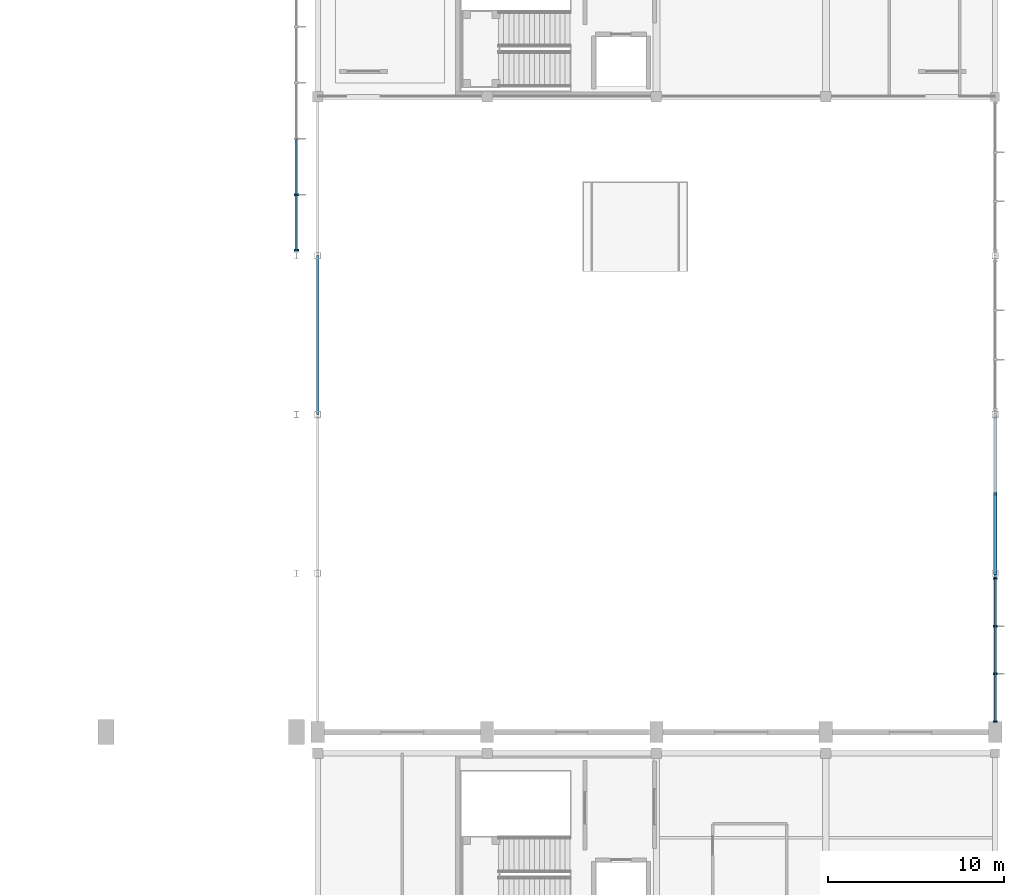
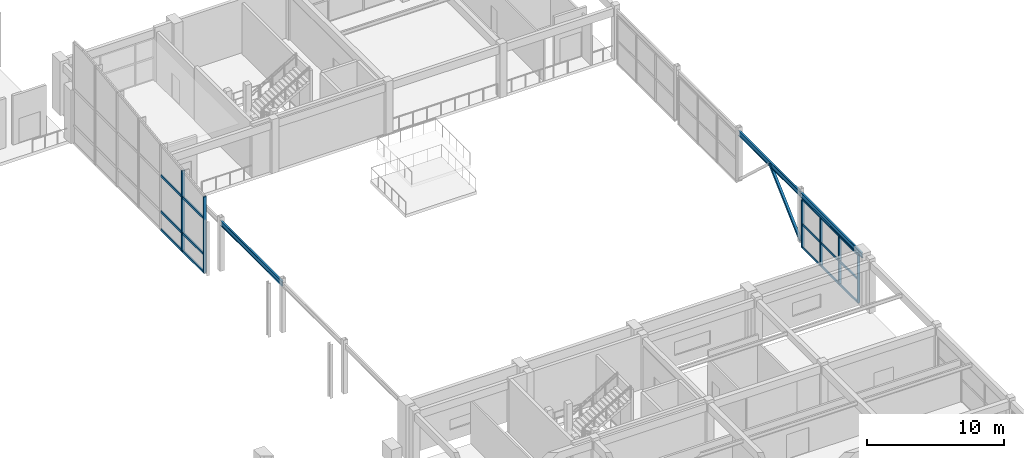
# One storey, part 32 of 74: 20 members, 3 beams, 2 elements without a shape of their own.
"""IFC4 building model written with IfcOpenShell, lengths in metres."""

from ifc_helpers import new_model, si_unit, direction, frame, origin, origin_2d, place, context, subcontext, project, spatial, rectangle, hollow_rectangle, i_section, extrude, material, material_profile, profile_set, type_object, element, aggregate, save


model = new_model("IFC4")

# Units and contexts
model_context = context("Model", 3, precision=1e-05, world=origin(), true_north=direction((0.0, 1.0)))
body_context = subcontext(model_context, "Body", "Model", "MODEL_VIEW")
ifc_project = project(units=[si_unit("LENGTHUNIT", "METRE"), si_unit("AREAUNIT", "SQUARE_METRE"), si_unit("VOLUMEUNIT", "CUBIC_METRE"), si_unit("PLANEANGLEUNIT", "RADIAN"), si_unit("MASSUNIT", "GRAM", prefix="KILO")], contexts=[model_context])

# Site, building, storey
site_placement = place(None, origin())
site = spatial("IfcSite", under=ifc_project, at=site_placement, CompositionType="ELEMENT")
building_placement = place(site_placement, origin())
building = spatial("IfcBuilding", under=site, at=building_placement, Name="Suirenkawa Promenade Aquatics Centre", CompositionType="ELEMENT")
storey_placement = place(building_placement, frame((0.0, 0.0, 4.800048828125)))
storey = spatial("IfcBuildingStorey", under=building, at=storey_placement, Name="L01", CompositionType="ELEMENT", Elevation=4.800048828125)

# Beams
ifc_material_1 = material(Name="Steel IS 2062 E350 (Grade 350)", Category="steel")
ifc_material_profile_1 = material_profile(ifc_material_1, i_section(OverallWidth=0.14990234375, OverallDepth=0.449951171875, WebThickness=0.009033203125, FlangeThickness=0.01708984375, at=origin_2d()), Name="ISMB 450", Category="steel")
ifc_profile_set_1 = profile_set([ifc_material_profile_1], Name="Steel IS 2062 E350 (Grade 350)")
beam_type = type_object("IfcBeamType", Name="BT-STL-ISMB450", PredefinedType="BEAM", material=ifc_profile_set_1)
for number, where, z_axis, x_axis, name in (
    (1, (156.0, 68.39990234375, 4.224853515625), (0.0, 1.0, 0.0), (-1.0, 0.0, 0.0), "Diving hall wind girt BM-08 BM-1351"),
    (2, (194.39990234375, 50.39990234375, 4.224853515625), (0.0, 1.0, 0.0), (-1.0, 0.0, 0.0), "Diving hall wind girt BM-08 BM-1361"),
    (3, (194.39990234375, 59.39990234375, 4.224853515625), (0.0, 1.0, 0.0), (-1.0, 0.0, 0.0), "Diving hall wind girt BM-08 BM-1362"),
):
    element("IfcBeam", number, at=place(storey_placement, frame(where, z_axis=z_axis, x_axis=x_axis)), inside=storey, type_object=beam_type, Name=name, PredefinedType="BEAM", context=body_context, shape_type="SweptSolid", body=[
        extrude(i_section(OverallWidth=0.14990234375, OverallDepth=0.449951171875, WebThickness=0.009033203125, FlangeThickness=0.01708984375, at=origin_2d()), origin(), (0.0, 0.0, 1.0), 9.0),
    ])

# Curtain wall, members
ifc_material_2 = material(Name="Anodised aluminium 6063-T6", Category="aluminium")
curtain_wall_type_1 = type_object("IfcCurtainWallType", Name="CWAT-V2E-20", PredefinedType="NOTDEFINED", material=ifc_material_2)
curtain_wall_1_placement = place(storey_placement, origin())
curtain_wall_1 = element("IfcCurtainWall", 4, at=curtain_wall_1_placement, inside=storey, type_object=curtain_wall_type_1, Name="Curtain wall CWA-20 CW-048", PredefinedType="NOTDEFINED")
ifc_material_profile_2 = material_profile(ifc_material_2, rectangle(XDim=0.10009765625, YDim=0.219970703125, at=origin_2d()), Name="ALU MULL 100x220", Category="aluminium")
ifc_profile_set_2 = profile_set([ifc_material_profile_2], Name="Anodised aluminium 6063-T6")
member_type_1 = type_object("IfcMemberType", Name="CWM-220x100", PredefinedType="MULLION", material=ifc_profile_set_2)
member_1_placement = place(storey_placement, frame((194.39990234375, 59.10107421875, -0.35009765625), z_axis=(0.0, 0.0, 1.0), x_axis=(0.0, -1.0, 0.0)))
member_1 = element("IfcMember", 5, at=member_1_placement, type_object=member_type_1, Name="Mullion ML-01 CWM-00973", PredefinedType="MULLION", context=body_context, shape_type="SweptSolid", body=[
    extrude(rectangle(XDim=0.10009765625, YDim=0.219970703125, at=origin_2d()), origin(), (0.0, 0.0, 1.0), 4.255126953125),
])
member_2_placement = place(storey_placement, frame((194.39990234375, 56.400390625, -0.35009765625), z_axis=(0.0, 0.0, 1.0), x_axis=(0.0, -1.0, 0.0)))
member_2 = element("IfcMember", 6, at=member_2_placement, type_object=member_type_1, Name="Mullion ML-01 CWM-00974", PredefinedType="MULLION", context=body_context, shape_type="SweptSolid", body=[
    extrude(rectangle(XDim=0.10009765625, YDim=0.219970703125, at=origin_2d()), origin(), (0.0, 0.0, 1.0), 4.255126953125),
])
member_3_placement = place(storey_placement, frame((194.39990234375, 53.69970703125, -0.35009765625), z_axis=(0.0, 0.0, 1.0), x_axis=(0.0, -1.0, 0.0)))
member_3 = element("IfcMember", 7, at=member_3_placement, type_object=member_type_1, Name="Mullion ML-01 CWM-00975", PredefinedType="MULLION", context=body_context, shape_type="SweptSolid", body=[
    extrude(rectangle(XDim=0.10009765625, YDim=0.219970703125, at=origin_2d()), origin(), (0.0, 0.0, 1.0), 4.255126953125),
])
member_4_placement = place(storey_placement, frame((194.39990234375, 50.9990234375, -0.35009765625), z_axis=(0.0, 0.0, 1.0), x_axis=(0.0, -1.0, 0.0)))
member_4 = element("IfcMember", 8, at=member_4_placement, type_object=member_type_1, Name="Mullion ML-01 CWM-00976", PredefinedType="MULLION", context=body_context, shape_type="SweptSolid", body=[
    extrude(rectangle(XDim=0.10009765625, YDim=0.219970703125, at=origin_2d()), origin(), (0.0, 0.0, 1.0), 4.255126953125),
])

curtain_wall_type_2 = type_object("IfcCurtainWallType", Name="CWAT-GABLEV1-04", PredefinedType="NOTDEFINED", material=ifc_material_2)
curtain_wall_2_placement = place(storey_placement, origin())
curtain_wall_2 = element("IfcCurtainWall", 9, at=curtain_wall_2_placement, inside=storey, type_object=curtain_wall_type_2, Name="Curtain wall CWA-04 CW-008", PredefinedType="NOTDEFINED")
ifc_material_profile_3 = material_profile(ifc_material_2, rectangle(XDim=0.110107421875, YDim=0.260009765625, at=origin_2d()), Name="ALU MULL 110x260", Category="aluminium")
ifc_profile_set_3 = profile_set([ifc_material_profile_3], Name="Anodised aluminium 6063-T6")
member_type_2 = type_object("IfcMemberType", Name="CWM-260x110", PredefinedType="MULLION", material=ifc_profile_set_3)
member_5_placement = place(storey_placement, frame((154.800048828125, 80.865966796875, 0.0), z_axis=(0.0, 0.0, 1.0), x_axis=(0.0, -1.0, 0.0)))
member_5 = element("IfcMember", 10, at=member_5_placement, type_object=member_type_2, Name="Mullion ML-04 CWM-00165", PredefinedType="MULLION", context=body_context, shape_type="SweptSolid", body=[
    extrude(rectangle(XDim=0.110107421875, YDim=0.260009765625, at=origin_2d()), origin(), (0.0, 0.0, 1.0), 7.1767578125),
])
member_6_placement = place(storey_placement, frame((154.800048828125, 77.698974609375, 0.0), z_axis=(0.0, 0.0, 1.0), x_axis=(0.0, -1.0, 0.0)))
member_6 = element("IfcMember", 11, at=member_6_placement, type_object=member_type_2, Name="Mullion ML-04 CWM-00166", PredefinedType="MULLION", context=body_context, shape_type="SweptSolid", body=[
    extrude(rectangle(XDim=0.110107421875, YDim=0.260009765625, at=origin_2d()), origin(), (0.0, 0.0, 1.0), 6.7685546875),
])

# Member
ifc_material_profile_4 = material_profile(ifc_material_2, rectangle(XDim=0.10009765625, YDim=0.169921875, at=origin_2d()), Name="ALU TRAN 100x170", Category="aluminium")
ifc_profile_set_4 = profile_set([ifc_material_profile_4], Name="Anodised aluminium 6063-T6")
member_type_3 = type_object("IfcMemberType", Name="CWT-170x100", PredefinedType="USERDEFINED", material=ifc_profile_set_4)
member_7_placement = place(storey_placement, frame((194.39990234375, 59.10107421875, -0.35009765625), z_axis=(0.0, -1.0, 0.0), x_axis=(1.0, 0.0, 0.0)))
member_7 = element("IfcMember", 12, at=member_7_placement, type_object=member_type_3, Name="Transom TR-01 CWT-00977", ObjectType="TRANSOM", PredefinedType="USERDEFINED", context=body_context, shape_type="SweptSolid", body=[
    extrude(rectangle(XDim=0.10009765625, YDim=0.169921875, at=origin_2d()), origin(), (0.0, 0.0, 1.0), 2.70068359375),
])

member_8_placement = place(storey_placement, frame((194.39990234375, 56.400390625, -0.35009765625), z_axis=(0.0, -1.0, 0.0), x_axis=(1.0, 0.0, 0.0)))
member_8 = element("IfcMember", 13, at=member_8_placement, type_object=member_type_3, Name="Transom TR-01 CWT-00978", ObjectType="TRANSOM", PredefinedType="USERDEFINED", context=body_context, shape_type="SweptSolid", body=[
    extrude(rectangle(XDim=0.10009765625, YDim=0.169921875, at=origin_2d()), origin(), (0.0, 0.0, 1.0), 2.70068359375),
])

member_9_placement = place(storey_placement, frame((194.39990234375, 53.69970703125, -0.35009765625), z_axis=(0.0, -1.0, 0.0), x_axis=(1.0, 0.0, 0.0)))
member_9 = element("IfcMember", 14, at=member_9_placement, type_object=member_type_3, Name="Transom TR-01 CWT-00979", ObjectType="TRANSOM", PredefinedType="USERDEFINED", context=body_context, shape_type="SweptSolid", body=[
    extrude(rectangle(XDim=0.10009765625, YDim=0.169921875, at=origin_2d()), origin(), (0.0, 0.0, 1.0), 2.70068359375),
])

member_10_placement = place(storey_placement, frame((194.39990234375, 59.10107421875, 1.699951171875), z_axis=(0.0, -1.0, 0.0), x_axis=(1.0, 0.0, 0.0)))
member_10 = element("IfcMember", 15, at=member_10_placement, type_object=member_type_3, Name="Transom TR-01 CWT-00980", ObjectType="TRANSOM", PredefinedType="USERDEFINED", context=body_context, shape_type="SweptSolid", body=[
    extrude(rectangle(XDim=0.10009765625, YDim=0.169921875, at=origin_2d()), origin(), (0.0, 0.0, 1.0), 2.70068359375),
])

member_11_placement = place(storey_placement, frame((194.39990234375, 56.400390625, 1.699951171875), z_axis=(0.0, -1.0, 0.0), x_axis=(1.0, 0.0, 0.0)))
member_11 = element("IfcMember", 16, at=member_11_placement, type_object=member_type_3, Name="Transom TR-01 CWT-00981", ObjectType="TRANSOM", PredefinedType="USERDEFINED", context=body_context, shape_type="SweptSolid", body=[
    extrude(rectangle(XDim=0.10009765625, YDim=0.169921875, at=origin_2d()), origin(), (0.0, 0.0, 1.0), 2.70068359375),
])

member_12_placement = place(storey_placement, frame((194.39990234375, 53.69970703125, 1.699951171875), z_axis=(0.0, -1.0, 0.0), x_axis=(1.0, 0.0, 0.0)))
member_12 = element("IfcMember", 17, at=member_12_placement, type_object=member_type_3, Name="Transom TR-01 CWT-00982", ObjectType="TRANSOM", PredefinedType="USERDEFINED", context=body_context, shape_type="SweptSolid", body=[
    extrude(rectangle(XDim=0.10009765625, YDim=0.169921875, at=origin_2d()), origin(), (0.0, 0.0, 1.0), 2.70068359375),
])

member_13_placement = place(storey_placement, frame((194.39990234375, 59.10107421875, 3.905029296875), z_axis=(0.0, -1.0, 0.0), x_axis=(1.0, 0.0, 0.0)))
member_13 = element("IfcMember", 18, at=member_13_placement, type_object=member_type_3, Name="Roofline transom TR-01 CWT-00983", ObjectType="TRANSOM", PredefinedType="USERDEFINED", context=body_context, shape_type="SweptSolid", body=[
    extrude(rectangle(XDim=0.10009765625, YDim=0.169921875, at=origin_2d()), origin(), (0.0, 0.0, 1.0), 8.10205078125),
])

aggregate(curtain_wall_1, [member_1, member_2, member_3, member_4, member_7, member_8, member_9, member_10, member_11, member_12, member_13])

ifc_material_profile_5 = material_profile(ifc_material_2, rectangle(XDim=0.110107421875, YDim=0.2099609375, at=origin_2d()), Name="ALU TRAN 110x210", Category="aluminium")
ifc_profile_set_5 = profile_set([ifc_material_profile_5], Name="Anodised aluminium 6063-T6")
member_type_4 = type_object("IfcMemberType", Name="CWT-210x110", PredefinedType="USERDEFINED", material=ifc_profile_set_5)
member_14_placement = place(storey_placement, frame((154.800048828125, 84.032958984375, 0.0), z_axis=(0.0, -1.0, 0.0), x_axis=(1.0, 0.0, 0.0)))
member_14 = element("IfcMember", 19, at=member_14_placement, type_object=member_type_4, Name="Transom TR-04 CWT-00171", ObjectType="TRANSOM", PredefinedType="USERDEFINED", context=body_context, shape_type="SweptSolid", body=[
    extrude(rectangle(XDim=0.110107421875, YDim=0.2099609375, at=origin_2d()), origin(), (0.0, 0.0, 1.0), 3.1669921875),
])

member_15_placement = place(storey_placement, frame((154.800048828125, 80.865966796875, 0.0), z_axis=(0.0, -1.0, 0.0), x_axis=(1.0, 0.0, 0.0)))
member_15 = element("IfcMember", 20, at=member_15_placement, type_object=member_type_4, Name="Transom TR-04 CWT-00172", ObjectType="TRANSOM", PredefinedType="USERDEFINED", context=body_context, shape_type="SweptSolid", body=[
    extrude(rectangle(XDim=0.110107421875, YDim=0.2099609375, at=origin_2d()), origin(), (0.0, 0.0, 1.0), 3.1669921875),
])

member_16_placement = place(storey_placement, frame((154.800048828125, 84.032958984375, 1.599853515625), z_axis=(0.0, -1.0, 0.0), x_axis=(1.0, 0.0, 0.0)))
member_16 = element("IfcMember", 21, at=member_16_placement, type_object=member_type_4, Name="Transom TR-04 CWT-00177", ObjectType="TRANSOM", PredefinedType="USERDEFINED", context=body_context, shape_type="SweptSolid", body=[
    extrude(rectangle(XDim=0.110107421875, YDim=0.2099609375, at=origin_2d()), origin(), (0.0, 0.0, 1.0), 3.1669921875),
])

member_17_placement = place(storey_placement, frame((154.800048828125, 80.865966796875, 1.599853515625), z_axis=(0.0, -1.0, 0.0), x_axis=(1.0, 0.0, 0.0)))
member_17 = element("IfcMember", 22, at=member_17_placement, type_object=member_type_4, Name="Transom TR-04 CWT-00178", ObjectType="TRANSOM", PredefinedType="USERDEFINED", context=body_context, shape_type="SweptSolid", body=[
    extrude(rectangle(XDim=0.110107421875, YDim=0.2099609375, at=origin_2d()), origin(), (0.0, 0.0, 1.0), 3.1669921875),
])

member_18_placement = place(storey_placement, frame((154.800048828125, 84.032958984375, 4.800048828125), z_axis=(0.0, -1.0, 0.0), x_axis=(1.0, 0.0, 0.0)))
member_18 = element("IfcMember", 23, at=member_18_placement, type_object=member_type_4, Name="Transom TR-04 CWT-00183", ObjectType="TRANSOM", PredefinedType="USERDEFINED", context=body_context, shape_type="SweptSolid", body=[
    extrude(rectangle(XDim=0.110107421875, YDim=0.2099609375, at=origin_2d()), origin(), (0.0, 0.0, 1.0), 3.1669921875),
])

member_19_placement = place(storey_placement, frame((154.800048828125, 80.865966796875, 4.800048828125), z_axis=(0.0, -1.0, 0.0), x_axis=(1.0, 0.0, 0.0)))
member_19 = element("IfcMember", 24, at=member_19_placement, type_object=member_type_4, Name="Transom TR-04 CWT-00184", ObjectType="TRANSOM", PredefinedType="USERDEFINED", context=body_context, shape_type="SweptSolid", body=[
    extrude(rectangle(XDim=0.110107421875, YDim=0.2099609375, at=origin_2d()), origin(), (0.0, 0.0, 1.0), 3.1669921875),
])

aggregate(curtain_wall_2, [member_5, member_6, member_14, member_15, member_16, member_17, member_18, member_19])

ifc_material_profile_6 = material_profile(ifc_material_1, hollow_rectangle(XDim=0.199951171875, YDim=0.199951171875, WallThickness=0.010009765625, at=origin_2d()), Name="SHS 200x200x10", Category="steel")
ifc_profile_set_6 = profile_set([ifc_material_profile_6], Name="Steel IS 2062 E350 (Grade 350)")
member_type_5 = type_object("IfcMemberType", Name="MT-BRACE-SHS200", PredefinedType="BRACE", material=ifc_profile_set_6)
member_20_placement = place(storey_placement, frame((194.39990234375, 59.39990234375, 0.050048828125), z_axis=(0.0, 0.733099398666, 0.680121512434), x_axis=(-1.0, 0.0, 0.0)))
element("IfcMember", 25, at=member_20_placement, inside=storey, type_object=member_type_5, Name="ROOF TRUSS Vertical chevron brace BF-01 MB-2915", PredefinedType="BRACE", context=body_context, shape_type="SweptSolid", body=[
    extrude(hollow_rectangle(XDim=0.199951171875, YDim=0.199951171875, WallThickness=0.010009765625, at=origin_2d()), origin(), (0.0, 0.0, 1.0), 6.138427734375),
])

save(model, "model.ifc")
